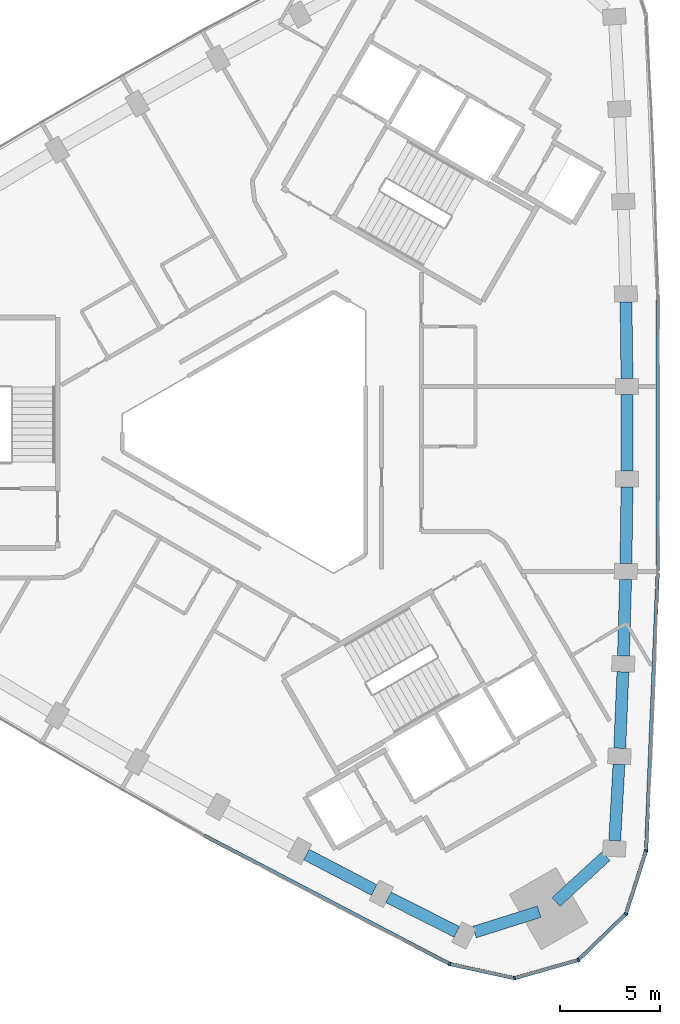
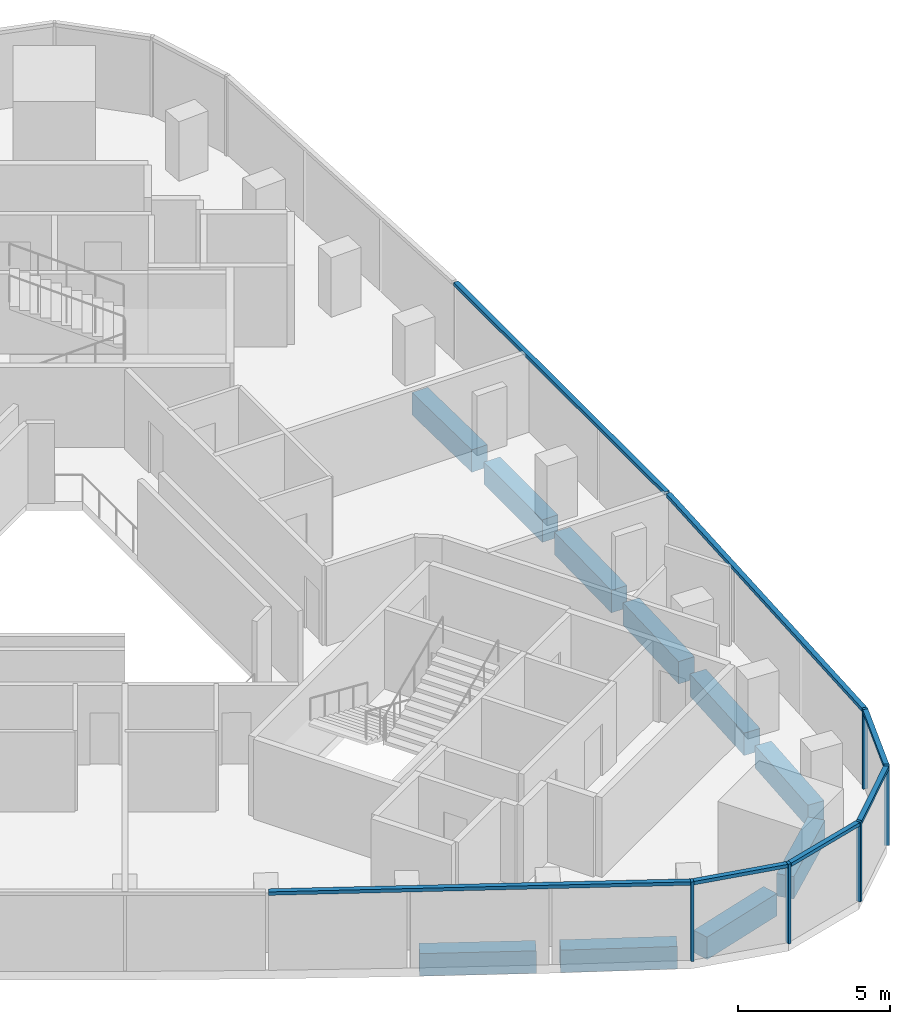
# One storey, part 3 of 11: 12 members, 10 beams, 2 elements without a shape of their own.
"""IFC4 building model written with IfcOpenShell, lengths in metres."""

from ifc_helpers import new_model, si_unit, direction, frame, origin, origin_2d, place, context, subcontext, project, spatial, rectangle, extrude, material, material_profile, profile_set, type_object, element, aggregate, save


model = new_model("IFC4")

# Units and contexts
model_context = context("Model", 3, precision=1e-05, world=origin(), true_north=direction((0.0, 1.0)))
body_context = subcontext(model_context, "Body", "Model", "MODEL_VIEW")
ifc_project = project(units=[si_unit("LENGTHUNIT", "METRE"), si_unit("AREAUNIT", "SQUARE_METRE"), si_unit("VOLUMEUNIT", "CUBIC_METRE"), si_unit("PLANEANGLEUNIT", "RADIAN"), si_unit("MASSUNIT", "GRAM", prefix="KILO")], contexts=[model_context])

# Site, building, storey
site_placement = place(None, origin())
site = spatial("IfcSite", under=ifc_project, at=site_placement, CompositionType="ELEMENT")
building_placement = place(site_placement, origin())
building = spatial("IfcBuilding", under=site, at=building_placement, Name="Tamra Quay Hotel Tower", CompositionType="ELEMENT")
storey_placement = place(building_placement, frame((0.0, 0.0, 208.0)))
storey = spatial("IfcBuildingStorey", under=building, at=storey_placement, Name="L52", CompositionType="ELEMENT", Elevation=208.0)

# Curtain wall, member
ifc_material_1 = material(Name="Aluminium 6063 anodised dark grey", Category="aluminium")
curtain_wall_type_1 = type_object("IfcCurtainWallType", Name="CW1 CURTAIN WALL", PredefinedType="NOTDEFINED", material=ifc_material_1)
curtain_wall_1_placement = place(storey_placement, origin())
curtain_wall_1 = element("IfcCurtainWall", 1, at=curtain_wall_1_placement, inside=storey, type_object=curtain_wall_type_1, Name="CW1 east face L52", PredefinedType="NOTDEFINED")
ifc_material_profile_1 = material_profile(ifc_material_1, rectangle(XDim=0.179931640625, YDim=0.10009765625, at=origin_2d()), Name="MULLION 100X180")
ifc_profile_set_1 = profile_set([ifc_material_profile_1], Name="Aluminium 6063 anodised dark grey")
member_type_1 = type_object("IfcMemberType", Name="MULLION CW1 Z4", PredefinedType="MULLION", material=ifc_profile_set_1)
member_1_placement = place(storey_placement, frame((18.665283203125, -20.955078125, 0.0), z_axis=(0.0, 0.0, 1.0), x_axis=(0.983509429279, -0.180856856435, 0.0)))
member_1 = element("IfcMember", 2, at=member_1_placement, type_object=member_type_1, Name="CW1 mullion L52.E.1", PredefinedType="MULLION", context=body_context, shape_type="SweptSolid", body=[
    extrude(rectangle(XDim=0.179931640625, YDim=0.10009765625, at=origin_2d()), origin(), (0.0, 0.0, 1.0), 3.199951171875),
])

# Curtain wall, members
curtain_wall_type_2 = type_object("IfcCurtainWallType", Name="CW3 CURTAIN WALL", PredefinedType="NOTDEFINED", material=ifc_material_1)
curtain_wall_2_placement = place(storey_placement, origin())
curtain_wall_2 = element("IfcCurtainWall", 3, at=curtain_wall_2_placement, inside=storey, type_object=curtain_wall_type_2, Name="CW3 south-west face L52", PredefinedType="NOTDEFINED")
ifc_material_profile_2 = material_profile(ifc_material_1, rectangle(XDim=0.179931640625, YDim=0.10009765625, at=origin_2d()), Name="MULLION 100X180")
ifc_profile_set_2 = profile_set([ifc_material_profile_2], Name="Aluminium 6063 anodised dark grey")
member_type_2 = type_object("IfcMemberType", Name="MULLION CW3 Z4", PredefinedType="MULLION", material=ifc_profile_set_2)
member_2_placement = place(storey_placement, frame((8.81494140625, -26.642333984375, 0.0), z_axis=(0.0, 0.0, 1.0), x_axis=(-0.335128082518, -0.942172578834, 0.0)))
member_2 = element("IfcMember", 4, at=member_2_placement, type_object=member_type_2, Name="CW3 mullion L52.SW.10", PredefinedType="MULLION", context=body_context, shape_type="SweptSolid", body=[
    extrude(rectangle(XDim=0.179931640625, YDim=0.10009765625, at=origin_2d()), origin(), (0.0, 0.0, 1.0), 3.199951171875),
])
member_3_placement = place(storey_placement, frame((12.06591796875, -27.353271484375, 0.0), z_axis=(0.0, 0.0, 1.0), x_axis=(0.030975337936, -0.999520149091, 0.0)))
member_3 = element("IfcMember", 5, at=member_3_placement, type_object=member_type_2, Name="CW3 mullion L52.SW.11", PredefinedType="MULLION", context=body_context, shape_type="SweptSolid", body=[
    extrude(rectangle(XDim=0.179931640625, YDim=0.10009765625, at=origin_2d()), origin(), (0.0, 0.0, 1.0), 3.199951171875),
])
member_4_placement = place(storey_placement, frame((15.2666015625, -26.4423828125, 0.0), z_axis=(0.0, 0.0, 1.0), x_axis=(0.5, -0.866025403784, 0.0)))
member_4 = element("IfcMember", 6, at=member_4_placement, type_object=member_type_2, Name="CW3 mullion L52.SW.12", PredefinedType="MULLION", context=body_context, shape_type="SweptSolid", body=[
    extrude(rectangle(XDim=0.179931640625, YDim=0.10009765625, at=origin_2d()), origin(), (0.0, 0.0, 1.0), 3.199951171875),
])
member_5_placement = place(storey_placement, frame((17.65576171875, -24.1259765625, 0.0), z_axis=(0.0, 0.0, 1.0), x_axis=(0.85012217174, -0.526585504089, 0.0)))
member_5 = element("IfcMember", 7, at=member_5_placement, type_object=member_type_2, Name="CW3 mullion L52.SW.13", PredefinedType="MULLION", context=body_context, shape_type="SweptSolid", body=[
    extrude(rectangle(XDim=0.179931640625, YDim=0.10009765625, at=origin_2d()), origin(), (0.0, 0.0, 1.0), 3.199951171875),
])

# Beams
ifc_material_2 = material(Name="Concrete M60", Category="concrete")
ifc_material_profile_3 = material_profile(ifc_material_2, rectangle(XDim=0.60009765625, YDim=0.89990234375, at=origin_2d()), Name="SPANDREL BEAM RC 600x900")
ifc_profile_set_3 = profile_set([ifc_material_profile_3], Name="Concrete M60")
beam_type = type_object("IfcBeamType", Name="SPANDREL BEAM RC 600x900", PredefinedType="SPANDREL", material=ifc_profile_set_3)
beam_1_placement = place(storey_placement, frame((17.091796875, -20.456787109375, -0.800048828125), z_axis=(0.055346700292, 0.99846719664, 0.0), x_axis=(-0.99846719664, 0.055346700292, 0.0)))
element("IfcBeam", 8, at=beam_1_placement, inside=storey, type_object=beam_type, Name="BM-SP4-000-L52", PredefinedType="SPANDREL", context=body_context, shape_type="SweptSolid", body=[
    extrude(rectangle(XDim=0.60009765625, YDim=0.89990234375, at=origin_2d()), origin(), (0.0, 0.0, 1.0), 3.837646484375),
])
beam_2_placement = place(storey_placement, frame((17.343017578125, -15.82568359375, -0.800048828125), z_axis=(0.041609373826, 0.999133954988, 0.0), x_axis=(-0.999133954988, 0.041609373826, 0.0)))
element("IfcBeam", 9, at=beam_2_placement, inside=storey, type_object=beam_type, Name="BM-SP4-001-L52", PredefinedType="SPANDREL", context=body_context, shape_type="SweptSolid", body=[
    extrude(rectangle(XDim=0.60009765625, YDim=0.89990234375, at=origin_2d()), origin(), (0.0, 0.0, 1.0), 3.83740234375),
])
beam_3_placement = place(storey_placement, frame((17.530517578125, -11.192138671875, -0.800048828125), z_axis=(0.02773528523, 0.999615302981, 0.0), x_axis=(-0.999615302981, 0.02773528523, 0.0)))
element("IfcBeam", 10, at=beam_3_placement, inside=storey, type_object=beam_type, Name="BM-SP4-002-L52", PredefinedType="SPANDREL", context=body_context, shape_type="SweptSolid", body=[
    extrude(rectangle(XDim=0.60009765625, YDim=0.89990234375, at=origin_2d()), origin(), (0.0, 0.0, 1.0), 3.837890625),
])
for number, where, z_axis, x_axis, name in (
    (11, (17.65380859375, -6.555908203125, -0.800048828125), (0.01380539035, 0.999904701058, 0.0), (-0.999904701058, 0.01380539035, 0.0), "BM-SP4-003-L52"),
    (12, (17.71240234375, -1.918701171875, -0.800048828125), (0.0, 1.0, 0.0), (-1.0, 0.0, 0.0), "BM-SP4-004-L52"),
    (13, (17.706787109375, 2.71875, -0.800048828125), (-0.01380539035, 0.999904701058, 0.0), (-0.999904701058, -0.01380539035, 0.0), "BM-SP4-005-L52"),
    (14, (1.6337890625, -21.153564453125, -0.800048828125), (0.886043134182, -0.463602808845, 0.0), (0.463602808845, 0.886043134182, 0.0), "BM-SP4-029-L52"),
):
    element("IfcBeam", number, at=place(storey_placement, frame(where, z_axis=z_axis, x_axis=x_axis)), inside=storey, type_object=beam_type, Name=name, PredefinedType="SPANDREL", context=body_context, shape_type="SweptSolid", body=[
        extrude(rectangle(XDim=0.60009765625, YDim=0.89990234375, at=origin_2d()), origin(), (0.0, 0.0, 1.0), 3.83740234375),
    ])
beam_4_placement = place(storey_placement, frame((5.745361328125, -23.29833984375, -0.800048828125), z_axis=(0.892407883039, -0.451229620359, 0.0), x_axis=(0.451229620359, 0.892407883039, 0.0)))
element("IfcBeam", 15, at=beam_4_placement, inside=storey, type_object=beam_type, Name="BM-SP4-030-L52", PredefinedType="SPANDREL", context=body_context, shape_type="SweptSolid", body=[
    extrude(rectangle(XDim=0.60009765625, YDim=0.89990234375, at=origin_2d()), origin(), (0.0, 0.0, 1.0), 3.837646484375),
])
beam_5_placement = place(storey_placement, frame((10.057373046875, -25.043212890625, -0.800048828125), z_axis=(0.953502415748, 0.301385373174, 0.0), x_axis=(-0.301385373174, 0.953502415748, 0.0)))
element("IfcBeam", 16, at=beam_5_placement, inside=storey, type_object=beam_type, Name="BM-SP4-031-L52", PredefinedType="SPANDREL", context=body_context, shape_type="SweptSolid", body=[
    extrude(rectangle(XDim=0.60009765625, YDim=0.89990234375, at=origin_2d()), origin(), (0.0, 0.0, 1.0), 3.40380859375),
])
beam_6_placement = place(storey_placement, frame((14.14794921875, -23.52978515625, -0.800048828125), z_axis=(0.737716497183, 0.675110635218, 0.0), x_axis=(-0.675110635218, 0.737716497183, 0.0)))
element("IfcBeam", 17, at=beam_6_placement, inside=storey, type_object=beam_type, Name="BM-SP4-032-L52", PredefinedType="SPANDREL", context=body_context, shape_type="SweptSolid", body=[
    extrude(rectangle(XDim=0.60009765625, YDim=0.89990234375, at=origin_2d()), origin(), (0.0, 0.0, 1.0), 3.404296875),
])

# Member
ifc_material_profile_4 = material_profile(ifc_material_1, rectangle(XDim=0.179931640625, YDim=0.139892578125, at=origin_2d()), Name="TRANSOM 180X140")
ifc_profile_set_4 = profile_set([ifc_material_profile_4], Name="Aluminium 6063 anodised dark grey")
member_type_3 = type_object("IfcMemberType", Name="TRANSOM CW1 Z4", PredefinedType="USERDEFINED", material=ifc_profile_set_4)
member_6_placement = place(storey_placement, frame((18.668212890625, -20.9052734375, 3.1298828125), z_axis=(0.041588103727, 0.999134840564, 0.0), x_axis=(-0.999134840564, 0.041588103727, 0.0)))
member_6 = element("IfcMember", 18, at=member_6_placement, type_object=member_type_3, Name="CW1 transom L52.E.1", ObjectType="TRANSOM", PredefinedType="USERDEFINED", context=body_context, shape_type="SweptSolid", body=[
    extrude(rectangle(XDim=0.179931640625, YDim=0.139892578125, at=origin_2d()), origin(), (0.0, 0.0, 1.0), 13.877685546875),
])

member_7_placement = place(storey_placement, frame((19.24755859375, -6.939453125, 3.1298828125), z_axis=(0.0, 1.0, 0.0), x_axis=(-1.0, 0.0, 0.0)))
member_7 = element("IfcMember", 19, at=member_7_placement, type_object=member_type_3, Name="CW1 transom L52.E.4", ObjectType="TRANSOM", PredefinedType="USERDEFINED", context=body_context, shape_type="SweptSolid", body=[
    extrude(rectangle(XDim=0.179931640625, YDim=0.139892578125, at=origin_2d()), origin(), (0.0, 0.0, 1.0), 13.87890625),
])

aggregate(curtain_wall_1, [member_1, member_6, member_7])

ifc_material_profile_5 = material_profile(ifc_material_1, rectangle(XDim=0.179931640625, YDim=0.139892578125, at=origin_2d()), Name="TRANSOM 180X140")
ifc_profile_set_5 = profile_set([ifc_material_profile_5], Name="Aluminium 6063 anodised dark grey")
member_type_4 = type_object("IfcMemberType", Name="TRANSOM CW3 Z4", PredefinedType="USERDEFINED", material=ifc_profile_set_5)
member_8_placement = place(storey_placement, frame((-3.5263671875, -20.186767578125, 3.1298828125), z_axis=(0.886075202027, -0.463541515242, 0.0), x_axis=(0.463541515242, 0.886075202027, 0.0)))
member_8 = element("IfcMember", 20, at=member_8_placement, type_object=member_type_4, Name="CW3 transom L52.SW.7", ObjectType="TRANSOM", PredefinedType="USERDEFINED", context=body_context, shape_type="SweptSolid", body=[
    extrude(rectangle(XDim=0.179931640625, YDim=0.139892578125, at=origin_2d()), origin(), (0.0, 0.0, 1.0), 13.877685546875),
])

member_9_placement = place(storey_placement, frame((8.86376953125, -26.65283203125, 3.1298828125), z_axis=(0.976905938147, -0.21366981072, 0.0), x_axis=(0.21366981072, 0.976905938147, 0.0)))
member_9 = element("IfcMember", 21, at=member_9_placement, type_object=member_type_4, Name="CW3 transom L52.SW.10", ObjectType="TRANSOM", PredefinedType="USERDEFINED", context=body_context, shape_type="SweptSolid", body=[
    extrude(rectangle(XDim=0.179931640625, YDim=0.139892578125, at=origin_2d()), origin(), (0.0, 0.0, 1.0), 3.227783203125),
])

member_10_placement = place(storey_placement, frame((12.114013671875, -27.339599609375, 3.1298828125), z_axis=(0.961806009168, 0.273731987038, 0.0), x_axis=(-0.273731987038, 0.961806009168, 0.0)))
member_10 = element("IfcMember", 22, at=member_10_placement, type_object=member_type_4, Name="CW3 transom L52.SW.11", ObjectType="TRANSOM", PredefinedType="USERDEFINED", context=body_context, shape_type="SweptSolid", body=[
    extrude(rectangle(XDim=0.179931640625, YDim=0.139892578125, at=origin_2d()), origin(), (0.0, 0.0, 1.0), 3.227783203125),
])

member_11_placement = place(storey_placement, frame((15.302490234375, -26.407470703125, 3.1298828125), z_axis=(0.717989739808, 0.696053685811, 0.0), x_axis=(-0.696053685811, 0.717989739808, 0.0)))
member_11 = element("IfcMember", 23, at=member_11_placement, type_object=member_type_4, Name="CW3 transom L52.SW.12", ObjectType="TRANSOM", PredefinedType="USERDEFINED", context=body_context, shape_type="SweptSolid", body=[
    extrude(rectangle(XDim=0.179931640625, YDim=0.139892578125, at=origin_2d()), origin(), (0.0, 0.0, 1.0), 3.2275390625),
])

member_12_placement = place(storey_placement, frame((17.6708984375, -24.078369140625, 3.1298828125), z_axis=(0.303378482034, 0.952870136293, 0.0), x_axis=(-0.952870136293, 0.303378482034, 0.0)))
member_12 = element("IfcMember", 24, at=member_12_placement, type_object=member_type_4, Name="CW3 transom L52.SW.13", ObjectType="TRANSOM", PredefinedType="USERDEFINED", context=body_context, shape_type="SweptSolid", body=[
    extrude(rectangle(XDim=0.179931640625, YDim=0.139892578125, at=origin_2d()), origin(), (0.0, 0.0, 1.0), 3.227783203125),
])

aggregate(curtain_wall_2, [member_8, member_2, member_9, member_3, member_10, member_4, member_11, member_5, member_12])

save(model, "model.ifc")
